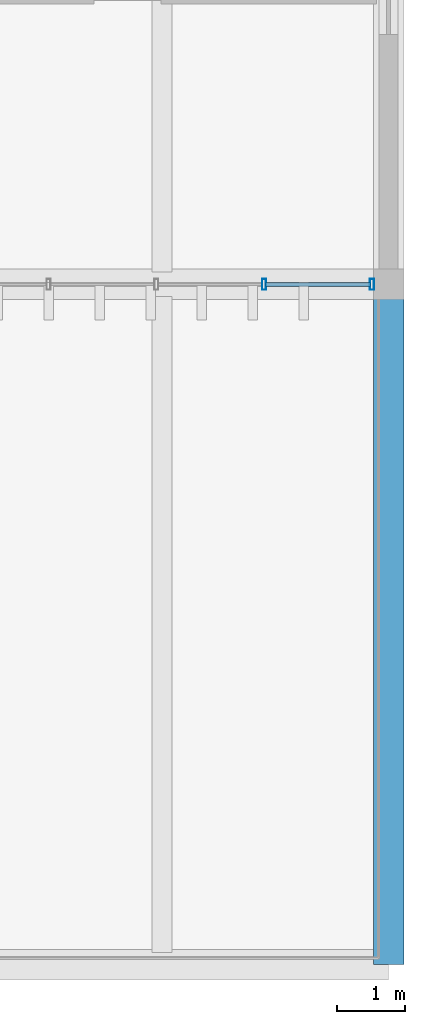
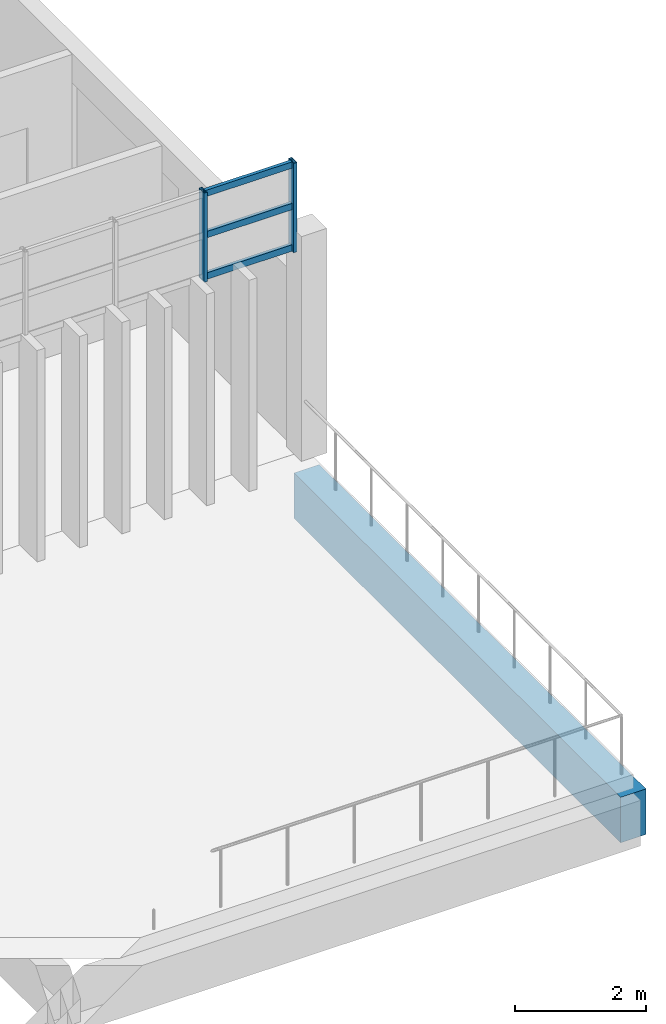
# One storey, part 28 of 36: 5 members, 1 beam, 1 element without a shape of its own.
"""IFC4 building model written with IfcOpenShell, lengths in metres."""

from ifc_helpers import new_model, si_unit, direction, frame, origin, origin_2d, place, context, subcontext, project, spatial, rectangle, hollow_rectangle, extrude, material, layer, layer_set, material_profile, profile_set, type_object, element, aggregate, save


model = new_model("IFC4")

# Units and contexts
model_context = context("Model", 3, precision=1e-05, world=origin(), true_north=direction((0.0, 1.0)))
body_context = subcontext(model_context, "Body", "Model", "MODEL_VIEW")
ifc_project = project(units=[si_unit("LENGTHUNIT", "METRE"), si_unit("AREAUNIT", "SQUARE_METRE"), si_unit("VOLUMEUNIT", "CUBIC_METRE"), si_unit("PLANEANGLEUNIT", "RADIAN"), si_unit("MASSUNIT", "GRAM", prefix="KILO")], contexts=[model_context])

# Site, building, storey
site_placement = place(None, origin())
site = spatial("IfcSite", under=ifc_project, at=site_placement, CompositionType="ELEMENT")
building_placement = place(site_placement, origin())
building = spatial("IfcBuilding", under=site, at=building_placement, Name="Mersad Railyard Sports Hall", CompositionType="ELEMENT")
storey_placement = place(building_placement, frame((0.0, 0.0, 21.60009765625)))
storey = spatial("IfcBuildingStorey", under=building, at=storey_placement, Name="L05", CompositionType="ELEMENT", Elevation=21.60009765625)

# Curtain wall, members
ifc_material_1 = material(Name="Aluminium 6063-T6", Category="aluminium")
ifc_layer = layer(ifc_material_1, 0.159912109375)
ifc_layer_set = layer_set([ifc_layer], Name="Aluminium 6063-T6")
curtain_wall_type = type_object("IfcCurtainWallType", Name="ARC-CW-CW50", PredefinedType="USERDEFINED", material=ifc_layer_set)
curtain_wall_placement = place(storey_placement, origin())
curtain_wall = element("IfcCurtainWall", 1, at=curtain_wall_placement, inside=storey, type_object=curtain_wall_type, Name="Curtain wall CW50-0136", ObjectType="CURTAIN WALL", PredefinedType="USERDEFINED")
ifc_material_profile_1 = material_profile(ifc_material_1, hollow_rectangle(XDim=0.06005859375, YDim=0.159912109375, WallThickness=0.00390625, at=origin_2d()), Name="AL MULLION 60x160x4")
ifc_profile_set_1 = profile_set([ifc_material_profile_1], Name="Aluminium 6063-T6")
member_type_1 = type_object("IfcMemberType", Name="ARC-CW-MUL01", PredefinedType="MULLION", material=ifc_profile_set_1)
member_1_placement = place(storey_placement, frame((120.7548828125, 95.0, 3.829833984375), z_axis=(0.0, 0.0, 1.0), x_axis=(1.0, 0.0, 0.0)))
member_1 = element("IfcMember", 2, at=member_1_placement, type_object=member_type_1, Name="CW50 Mullion 1", PredefinedType="MULLION", context=body_context, shape_type="SweptSolid", body=[
    extrude(hollow_rectangle(XDim=0.06005859375, YDim=0.159912109375, WallThickness=0.00390625, at=origin_2d()), origin(), (0.0, 0.0, 1.0), 1.670166015625),
])
member_2_placement = place(storey_placement, frame((119.169921875, 95.0, 3.829833984375), z_axis=(0.0, 0.0, 1.0), x_axis=(1.0, 0.0, 0.0)))
member_2 = element("IfcMember", 3, at=member_2_placement, type_object=member_type_1, Name="CW50 Mullion 2", PredefinedType="MULLION", context=body_context, shape_type="SweptSolid", body=[
    extrude(hollow_rectangle(XDim=0.06005859375, YDim=0.159912109375, WallThickness=0.00390625, at=origin_2d()), origin(), (0.0, 0.0, 1.0), 1.670166015625),
])
ifc_material_profile_2 = material_profile(ifc_material_1, hollow_rectangle(XDim=0.06005859375, YDim=0.1201171875, WallThickness=0.00390625, at=origin_2d()), Name="AL TRANSOM 60x120x4")
ifc_profile_set_2 = profile_set([ifc_material_profile_2], Name="Aluminium 6063-T6")
member_type_2 = type_object("IfcMemberType", Name="ARC-CW-TRN01", PredefinedType="USERDEFINED", material=ifc_profile_set_2)
member_3_placement = place(storey_placement, frame((120.735107421875, 95.0, 3.889892578125), z_axis=(-1.0, 0.0, 0.0), x_axis=(0.0, -1.0, 0.0)))
member_3 = element("IfcMember", 4, at=member_3_placement, type_object=member_type_2, Name="CW50 Transom 1-1", ObjectType="TRANSOM", PredefinedType="USERDEFINED", context=body_context, shape_type="SweptSolid", body=[
    extrude(hollow_rectangle(XDim=0.06005859375, YDim=0.1201171875, WallThickness=0.00390625, at=origin_2d()), origin(), (0.0, 0.0, 1.0), 1.545166015625),
])
member_4_placement = place(storey_placement, frame((120.735107421875, 95.0, 4.664794921875), z_axis=(-1.0, 0.0, 0.0), x_axis=(0.0, -1.0, 0.0)))
member_4 = element("IfcMember", 5, at=member_4_placement, type_object=member_type_2, Name="CW50 Transom 2-1", ObjectType="TRANSOM", PredefinedType="USERDEFINED", context=body_context, shape_type="SweptSolid", body=[
    extrude(hollow_rectangle(XDim=0.06005859375, YDim=0.1201171875, WallThickness=0.00390625, at=origin_2d()), origin(), (0.0, 0.0, 1.0), 1.545166015625),
])
member_5_placement = place(storey_placement, frame((120.735107421875, 95.0, 5.43994140625), z_axis=(-1.0, 0.0, 0.0), x_axis=(0.0, -1.0, 0.0)))
member_5 = element("IfcMember", 6, at=member_5_placement, type_object=member_type_2, Name="CW50 Transom 3-1", ObjectType="TRANSOM", PredefinedType="USERDEFINED", context=body_context, shape_type="SweptSolid", body=[
    extrude(hollow_rectangle(XDim=0.06005859375, YDim=0.1201171875, WallThickness=0.00390625, at=origin_2d()), origin(), (0.0, 0.0, 1.0), 1.545166015625),
])
aggregate(curtain_wall, [member_1, member_2, member_3, member_4, member_5])

# Beam
ifc_material_2 = material(Name="Concrete C40/50", Category="concrete")
ifc_material_profile_3 = material_profile(ifc_material_2, rectangle(XDim=0.449951171875, YDim=0.85009765625, at=origin_2d()), Name="RC 450x850")
ifc_profile_set_3 = profile_set([ifc_material_profile_3], Name="Concrete C40/50")
beam_type = type_object("IfcBeamType", Name="STR-BM-B02", PredefinedType="BEAM", material=ifc_profile_set_3)
beam_placement = place(storey_placement, frame((121.0, 85.0, -0.775146484375), z_axis=(0.0, 1.0, 0.0), x_axis=(-1.0, 0.0, 0.0)))
element("IfcBeam", 7, at=beam_placement, inside=storey, type_object=beam_type, Name="Beam B02-1445", PredefinedType="BEAM", context=body_context, shape_type="SweptSolid", body=[
    extrude(rectangle(XDim=0.449951171875, YDim=0.85009765625, at=origin_2d()), origin(), (0.0, 0.0, 1.0), 10.0),
])

save(model, "model.ifc")
